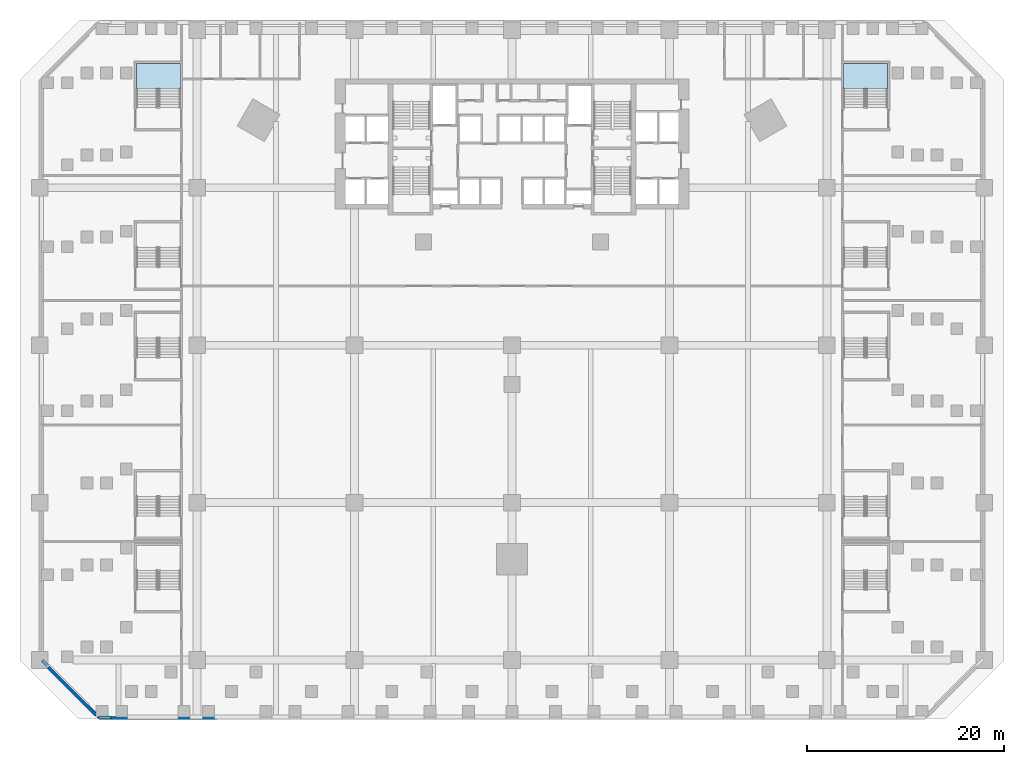
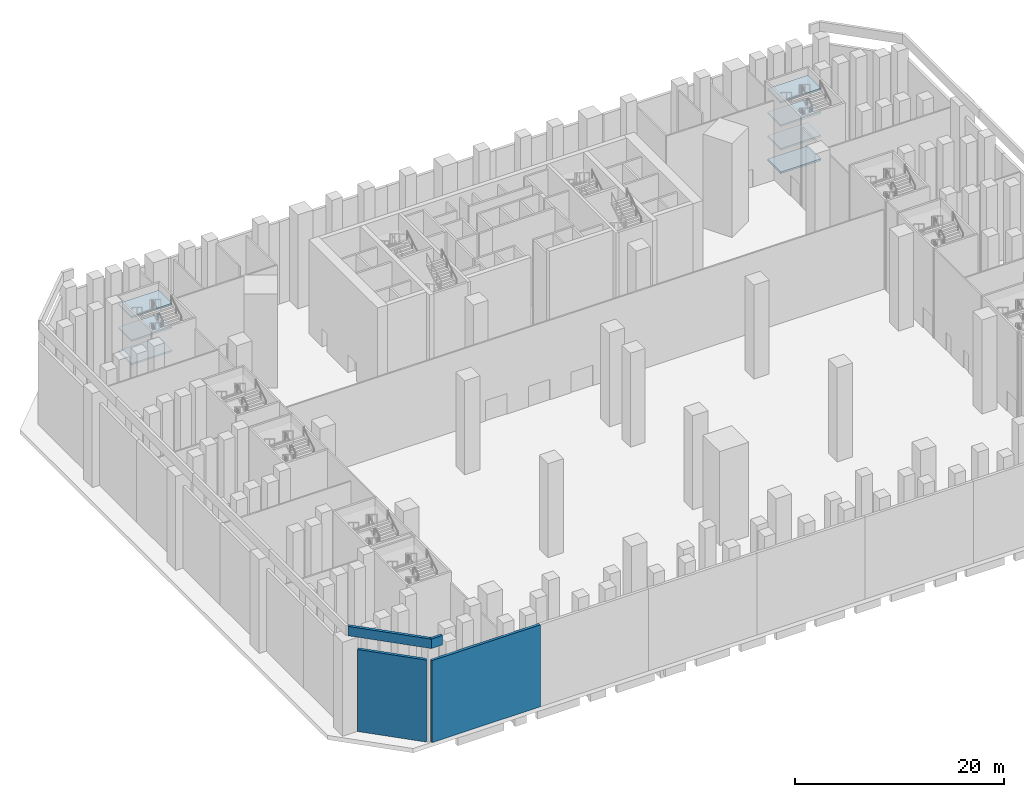
# One storey, part 5 of 31: 7 slabs, 4 walls, 2 elements without a shape of their own.
"""IFC4 building model written with IfcOpenShell, lengths in metres."""

from ifc_helpers import new_model, si_unit, direction, frame, frame_2d, origin, place, context, subcontext, project, spatial, polyline, rectangle, outline, extrude, material, layer, layer_set, type_object, element, aggregate, save


model = new_model("IFC4")

# Units and contexts
model_context = context("Model", 3, precision=1e-05, world=origin(), true_north=direction((0.0, 1.0)))
body_context = subcontext(model_context, "Body", "Model", "MODEL_VIEW")
ifc_project = project(units=[si_unit("LENGTHUNIT", "METRE"), si_unit("AREAUNIT", "SQUARE_METRE"), si_unit("VOLUMEUNIT", "CUBIC_METRE"), si_unit("PLANEANGLEUNIT", "RADIAN"), si_unit("MASSUNIT", "GRAM", prefix="KILO")], contexts=[model_context])

# Site, building, storey
site_placement = place(None, origin())
site = spatial("IfcSite", under=ifc_project, at=site_placement, CompositionType="ELEMENT")
building_placement = place(site_placement, origin())
building = spatial("IfcBuilding", under=site, at=building_placement, Name="Calabash Gate Tower", CompositionType="ELEMENT")
storey_placement = place(building_placement, frame((0.0, 0.0, 9.0)))
storey = spatial("IfcBuildingStorey", under=building, at=storey_placement, Name="L01", CompositionType="ELEMENT", Elevation=9.0)

# Stair, slabs
ifc_material_1 = material(Name="Concrete C40/50", Category="concrete")
stair_type = type_object("IfcStairType", Name="Public stair 64 risers of 171.9 mm", PredefinedType="HALF_TURN_STAIR", material=ifc_material_1)
stair_1_placement = place(storey_placement, origin())
stair_1 = element("IfcStair", 1, at=stair_1_placement, inside=storey, type_object=stair_type, Name="L01 Public Stair PS5", PredefinedType="HALF_TURN_STAIR")
ifc_material_2 = material(Name="Concrete C40/50", Category="concrete")
ifc_layer_1 = layer(ifc_material_2, 0.199951171875)
ifc_layer_set_1 = layer_set([ifc_layer_1], Name="Stair landing SL200")
slab_type = type_object("IfcSlabType", Name="Stair landing SL200", PredefinedType="LANDING", material=ifc_layer_set_1)
slab_1_placement = place(storey_placement, frame((0.0, 0.0, 3.925048828125)))
slab_1 = element("IfcSlab", 2, at=slab_1_placement, type_object=slab_type, Name="PS5 landing 3", PredefinedType="LANDING", context=body_context, shape_type="SweptSolid", body=[
    extrude(outline(polyline([(-33.699951171875, 18.113037109375), (-33.699951171875, 20.64990234375), (-38.169921875, 20.64990234375), (-38.169921875, 18.113037109375), (-33.699951171875, 18.113037109375)])), origin(), (0.0, 0.0, 1.0), 0.199951171875),
])
slab_2_placement = place(storey_placement, frame((0.0, 0.0, 6.675048828125)))
slab_2 = element("IfcSlab", 3, at=slab_2_placement, type_object=slab_type, Name="PS5 landing 5", PredefinedType="LANDING", context=body_context, shape_type="SweptSolid", body=[
    extrude(outline(polyline([(-33.699951171875, 18.113037109375), (-33.699951171875, 20.64990234375), (-38.169921875, 20.64990234375), (-38.169921875, 18.113037109375), (-33.699951171875, 18.113037109375)])), origin(), (0.0, 0.0, 1.0), 0.199951171875),
])
slab_3_placement = place(storey_placement, frame((0.0, 0.0, 9.425048828125)))
slab_3 = element("IfcSlab", 4, at=slab_3_placement, type_object=slab_type, Name="PS5 landing 7", PredefinedType="LANDING", context=body_context, shape_type="SweptSolid", body=[
    extrude(outline(polyline([(-33.699951171875, 18.113037109375), (-33.699951171875, 20.64990234375), (-38.169921875, 20.64990234375), (-38.169921875, 18.113037109375), (-33.699951171875, 18.113037109375)])), origin(), (0.0, 0.0, 1.0), 0.199951171875),
])
aggregate(stair_1, [slab_1, slab_2, slab_3])

stair_2_placement = place(storey_placement, origin())
stair_2 = element("IfcStair", 5, at=stair_2_placement, inside=storey, type_object=stair_type, Name="L01 Public Stair PS10", PredefinedType="HALF_TURN_STAIR")
slab_4_placement = place(storey_placement, frame((0.0, 0.0, 1.175048828125)))
slab_4 = element("IfcSlab", 6, at=slab_4_placement, type_object=slab_type, Name="PS10 landing 1", PredefinedType="LANDING", context=body_context, shape_type="SweptSolid", body=[
    extrude(outline(polyline([(38.169921875, 18.113037109375), (38.169921875, 20.64990234375), (33.699951171875, 20.64990234375), (33.699951171875, 18.113037109375), (38.169921875, 18.113037109375)])), origin(), (0.0, 0.0, 1.0), 0.199951171875),
])
slab_5_placement = place(storey_placement, frame((0.0, 0.0, 3.925048828125)))
slab_5 = element("IfcSlab", 7, at=slab_5_placement, type_object=slab_type, Name="PS10 landing 3", PredefinedType="LANDING", context=body_context, shape_type="SweptSolid", body=[
    extrude(outline(polyline([(38.169921875, 18.113037109375), (38.169921875, 20.64990234375), (33.699951171875, 20.64990234375), (33.699951171875, 18.113037109375), (38.169921875, 18.113037109375)])), origin(), (0.0, 0.0, 1.0), 0.199951171875),
])
slab_6_placement = place(storey_placement, frame((0.0, 0.0, 6.675048828125)))
slab_6 = element("IfcSlab", 8, at=slab_6_placement, type_object=slab_type, Name="PS10 landing 5", PredefinedType="LANDING", context=body_context, shape_type="SweptSolid", body=[
    extrude(outline(polyline([(38.169921875, 18.113037109375), (38.169921875, 20.64990234375), (33.699951171875, 20.64990234375), (33.699951171875, 18.113037109375), (38.169921875, 18.113037109375)])), origin(), (0.0, 0.0, 1.0), 0.199951171875),
])
slab_7_placement = place(storey_placement, frame((0.0, 0.0, 9.425048828125)))
slab_7 = element("IfcSlab", 9, at=slab_7_placement, type_object=slab_type, Name="PS10 landing 7", PredefinedType="LANDING", context=body_context, shape_type="SweptSolid", body=[
    extrude(outline(polyline([(38.169921875, 18.113037109375), (38.169921875, 20.64990234375), (33.699951171875, 20.64990234375), (33.699951171875, 18.113037109375), (38.169921875, 18.113037109375)])), origin(), (0.0, 0.0, 1.0), 0.199951171875),
])
aggregate(stair_2, [slab_4, slab_5, slab_6, slab_7])

# Walls
ifc_material_3 = material(Name="Terracotta brick masonry, exposed face", Category="masonry")
ifc_layer_2 = layer(ifc_material_3, 0.300048828125)
ifc_layer_set_2 = layer_set([ifc_layer_2], Name="Podium brick wall 300")
wall_type_1 = type_object("IfcWallType", Name="Podium brick wall 300", PredefinedType="SOLIDWALL", material=ifc_layer_set_2)
wall_1_placement = place(storey_placement, frame((-41.949951171875, -45.89990234375, 0.0), z_axis=(0.0, 0.0, 1.0), x_axis=(1.0, 0.0, 0.0)))
element("IfcWall", 10, at=wall_1_placement, inside=storey, type_object=wall_type_1, Name="Podium brick wall L01 0.0.0", PredefinedType="SOLIDWALL", context=body_context, shape_type="SweptSolid", body=[
    extrude(rectangle(XDim=11.985595703125, YDim=0.300048828125, at=frame_2d((5.99267578125, 0.0))), origin(), (0.0, 0.0, 1.0), 9.60009765625),
])
wall_2_placement = place(storey_placement, frame((-47.14794921875, -40.710693359375, 0.0), z_axis=(0.0, 0.0, 1.0), x_axis=(0.707106781187, -0.707106781187, 0.0)))
element("IfcWall", 11, at=wall_2_placement, inside=storey, type_object=wall_type_1, Name="Podium brick wall L01 7.0.0", PredefinedType="SOLIDWALL", context=body_context, shape_type="SweptSolid", body=[
    extrude(rectangle(XDim=6.89697265625, YDim=0.300048828125, at=frame_2d((3.448486328125, 0.0))), origin(), (0.0, 0.0, 1.0), 9.60009765625),
])
ifc_material_4 = material(Name="Terracotta brick masonry, exposed face", Category="masonry")
ifc_layer_3 = layer(ifc_material_4, 0.300048828125)
ifc_layer_set_3 = layer_set([ifc_layer_3], Name="Podium parapet wall 300")
wall_type_2 = type_object("IfcWallType", Name="Podium parapet wall 300", PredefinedType="PARAPET", material=ifc_layer_set_3)
wall_3_placement = place(storey_placement, frame((-42.0, -45.85009765625, 11.0), z_axis=(0.0, 0.0, 1.0), x_axis=(1.0, 0.0, 0.0)))
element("IfcWall", 12, at=wall_3_placement, inside=storey, type_object=wall_type_2, Name="Podium parapet L01 0.0.0", PredefinedType="PARAPET", context=body_context, shape_type="SweptSolid", body=[
    extrude(rectangle(XDim=1.25, YDim=0.300048828125, at=frame_2d((0.625, 0.0))), origin(), (0.0, 0.0, 1.0), 1.10009765625),
])
wall_4_placement = place(storey_placement, frame((-47.745361328125, -40.04248046875, 11.0), z_axis=(0.0, 0.0, 1.0), x_axis=(0.707092029666, -0.7071215324, 0.0)))
element("IfcWall", 13, at=wall_4_placement, inside=storey, type_object=wall_type_2, Name="Podium parapet L01 7.0.0", PredefinedType="PARAPET", context=body_context, shape_type="SweptSolid", body=[
    extrude(rectangle(XDim=8.275146484375, YDim=0.300048828125, at=frame_2d((4.1376953125, 0.0))), origin(), (0.0, 0.0, 1.0), 1.10009765625),
])

save(model, "model.ifc")
